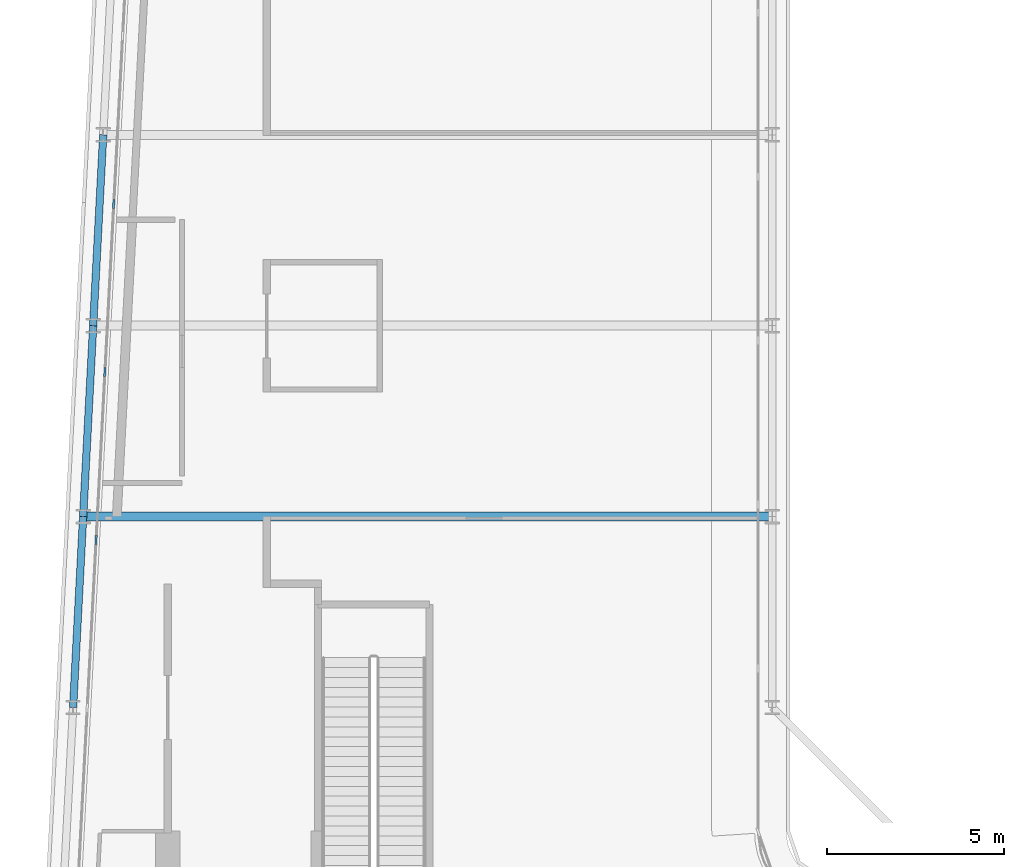
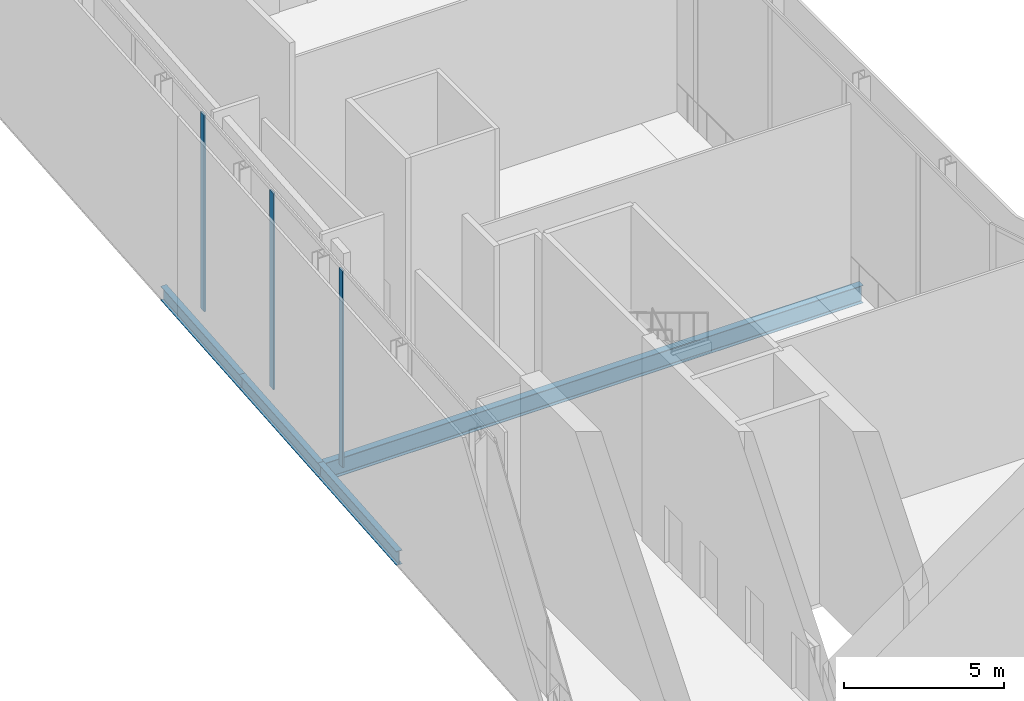
# One storey, part 12 of 38: 4 beams, 3 members, 1 element without a shape of its own.
"""IFC4 building model written with IfcOpenShell, lengths in metres."""

from ifc_helpers import new_model, si_unit, direction, frame, origin, origin_2d, place, context, subcontext, project, spatial, rectangle, i_section, extrude, material, layer, layer_set, material_profile, profile_set, type_object, element, aggregate, save


model = new_model("IFC4")

# Units and contexts
model_context = context("Model", 3, precision=1e-05, world=origin(), true_north=direction((0.0, 1.0)))
body_context = subcontext(model_context, "Body", "Model", "MODEL_VIEW")
ifc_project = project(units=[si_unit("LENGTHUNIT", "METRE"), si_unit("AREAUNIT", "SQUARE_METRE"), si_unit("VOLUMEUNIT", "CUBIC_METRE"), si_unit("PLANEANGLEUNIT", "RADIAN"), si_unit("MASSUNIT", "GRAM", prefix="KILO")], contexts=[model_context])

# Site, building, storey
site_placement = place(None, origin())
site = spatial("IfcSite", under=ifc_project, at=site_placement, CompositionType="ELEMENT")
building_placement = place(site_placement, origin())
building = spatial("IfcBuilding", under=site, at=building_placement, Name="Kheshtan School and Residences Tower", CompositionType="ELEMENT")
storey_placement = place(building_placement, frame((0.0, 0.0, 203.300048828125)))
storey = spatial("IfcBuildingStorey", under=building, at=storey_placement, Name="L48", CompositionType="ELEMENT", Elevation=203.300048828125)

# Beams
ifc_material_1 = material(Name="Steel ASTM A992 Grade 50", Category="steel")
ifc_material_profile_1 = material_profile(ifc_material_1, i_section(OverallWidth=0.2529296875, OverallDepth=0.677978515625, WebThickness=0.01171875, FlangeThickness=0.016357421875, FilletRadius=0.0146484375, at=origin_2d()), Name="W690x125")
ifc_profile_set_1 = profile_set([ifc_material_profile_1], Name="Steel ASTM A992 Grade 50")
beam_type_1 = type_object("IfcBeamType", Name="Beam FB6 W690x125 ASTM A992 Grade 50", PredefinedType="BEAM", material=ifc_profile_set_1)
beam_1_placement = place(storey_placement, frame((47.60009765625, 56.39990234375, -0.489013671875), z_axis=(-1.0, 0.0, 0.0), x_axis=(0.0, -1.0, 0.0)))
element("IfcBeam", 1, at=beam_1_placement, inside=storey, type_object=beam_type_1, Name="Floor beam C081", PredefinedType="BEAM", context=body_context, shape_type="SweptSolid", body=[
    extrude(i_section(OverallWidth=0.2529296875, OverallDepth=0.677978515625, WebThickness=0.01171875, FlangeThickness=0.016357421875, FilletRadius=0.0146484375, at=origin_2d()), origin(), (0.0, 0.0, 1.0), 19.494140625),
])
ifc_material_profile_2 = material_profile(ifc_material_1, i_section(OverallWidth=0.208984375, OverallDepth=0.532958984375, WebThickness=0.01025390625, FlangeThickness=0.015625, FilletRadius=0.013916015625, at=origin_2d()), Name="W530x92")
ifc_profile_set_2 = profile_set([ifc_material_profile_2], Name="Steel ASTM A992 Grade 50")
beam_type_2 = type_object("IfcBeamType", Name="Beam SP3 W530x92 ASTM A992 Grade 50", PredefinedType="BEAM", material=ifc_profile_set_2)
beam_2_placement = place(storey_placement, frame((27.822021484375, 51.0, -0.41650390625), z_axis=(0.05250906864, 0.998620447272, 0.0), x_axis=(-0.998620447272, 0.05250906864, 0.0)))
element("IfcBeam", 2, at=beam_2_placement, inside=storey, type_object=beam_type_2, Name="Spandrel beam C078-C080", PredefinedType="BEAM", context=body_context, shape_type="SweptSolid", body=[
    extrude(i_section(OverallWidth=0.208984375, OverallDepth=0.532958984375, WebThickness=0.01025390625, FlangeThickness=0.015625, FilletRadius=0.013916015625, at=origin_2d()), origin(), (0.0, 0.0, 1.0), 5.407470703125),
])
beam_3_placement = place(storey_placement, frame((28.10595703125, 56.39990234375, -0.41650390625), z_axis=(0.05250670125, 0.998620571751, 0.0), x_axis=(-0.998620571751, 0.05250670125, 0.0)))
element("IfcBeam", 3, at=beam_3_placement, inside=storey, type_object=beam_type_2, Name="Spandrel beam C080-C082", PredefinedType="BEAM", context=body_context, shape_type="SweptSolid", body=[
    extrude(i_section(OverallWidth=0.208984375, OverallDepth=0.532958984375, WebThickness=0.01025390625, FlangeThickness=0.015625, FilletRadius=0.013916015625, at=origin_2d()), origin(), (0.0, 0.0, 1.0), 5.40771484375),
])
beam_4_placement = place(storey_placement, frame((28.389892578125, 61.800048828125, -0.41650390625), z_axis=(0.052554093665, 0.998618078766, 0.0), x_axis=(-0.998618078766, 0.052554093665, 0.0)))
element("IfcBeam", 4, at=beam_4_placement, inside=storey, type_object=beam_type_2, Name="Spandrel beam C082-C084", PredefinedType="BEAM", context=body_context, shape_type="SweptSolid", body=[
    extrude(i_section(OverallWidth=0.208984375, OverallDepth=0.532958984375, WebThickness=0.01025390625, FlangeThickness=0.015625, FilletRadius=0.013916015625, at=origin_2d()), origin(), (0.0, 0.0, 1.0), 5.407470703125),
])

# Curtain wall, members
ifc_material_2 = material(Name="Clear low-e glass in thermally broken aluminium frame", Category="aluminium")
ifc_layer = layer(ifc_material_2, 0.25)
ifc_layer_set = layer_set([ifc_layer], Name="Curtain wall CW-K")
curtain_wall_type = type_object("IfcCurtainWallType", Name="Curtain wall CW-K", PredefinedType="NOTDEFINED", material=ifc_layer_set)
curtain_wall_placement = place(storey_placement, origin())
curtain_wall = element("IfcCurtainWall", 5, at=curtain_wall_placement, inside=storey, type_object=curtain_wall_type, Name="Curtain wall CWK18", PredefinedType="NOTDEFINED")
ifc_material_3 = material(Name="Thermally broken aluminium, dark bronze anodised", Category="aluminium")
ifc_material_profile_3 = material_profile(ifc_material_3, rectangle(XDim=0.06005859375, YDim=0.25, at=origin_2d()), Name="CW-K mullion 60x250")
ifc_profile_set_3 = profile_set([ifc_material_profile_3], Name="Thermally broken aluminium, dark bronze anodised")
member_type = type_object("IfcMemberType", Name="CW-K mullion 60x250", PredefinedType="MULLION", material=ifc_profile_set_3)
member_1_placement = place(storey_placement, frame((28.470947265625, 55.737060546875, 0.0), z_axis=(0.0, 0.0, 1.0), x_axis=(-0.998617497599, 0.05256513568, 0.0)))
member_1 = element("IfcMember", 6, at=member_1_placement, type_object=member_type, Name="CWK18 mullion 6", PredefinedType="MULLION", context=body_context, shape_type="SweptSolid", body=[
    extrude(rectangle(XDim=0.06005859375, YDim=0.25, at=origin_2d()), origin(), (0.0, 0.0, 1.0), 7.489990234375),
])
member_2_placement = place(storey_placement, frame((28.720947265625, 60.489013671875, 0.0), z_axis=(0.0, 0.0, 1.0), x_axis=(-0.998617497599, 0.05256513568, 0.0)))
member_2 = element("IfcMember", 7, at=member_2_placement, type_object=member_type, Name="CWK18 mullion 7", PredefinedType="MULLION", context=body_context, shape_type="SweptSolid", body=[
    extrude(rectangle(XDim=0.06005859375, YDim=0.25, at=origin_2d()), origin(), (0.0, 0.0, 1.0), 7.489990234375),
])
member_3_placement = place(storey_placement, frame((28.97119140625, 65.2412109375, 0.0), z_axis=(0.0, 0.0, 1.0), x_axis=(-0.998617497599, 0.05256513568, 0.0)))
member_3 = element("IfcMember", 8, at=member_3_placement, type_object=member_type, Name="CWK18 mullion 8", PredefinedType="MULLION", context=body_context, shape_type="SweptSolid", body=[
    extrude(rectangle(XDim=0.06005859375, YDim=0.25, at=origin_2d()), origin(), (0.0, 0.0, 1.0), 7.489990234375),
])
aggregate(curtain_wall, [member_1, member_2, member_3])

save(model, "model.ifc")
